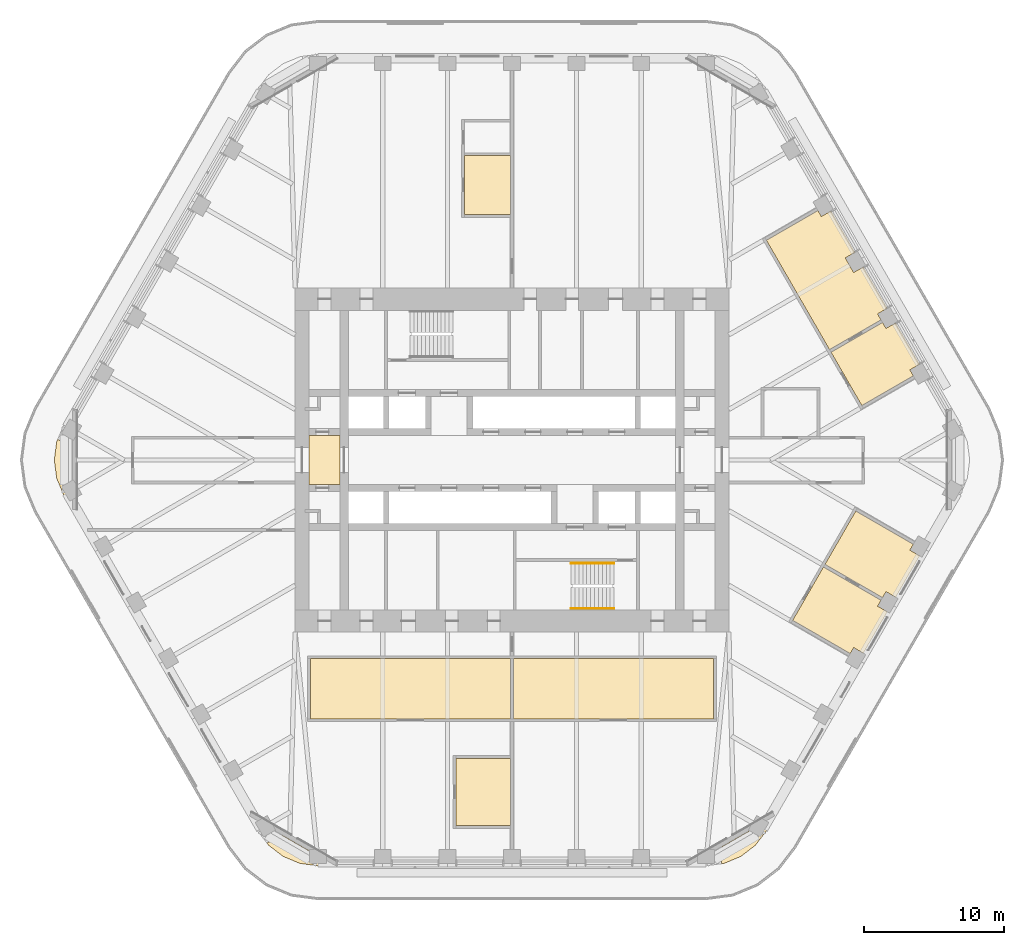
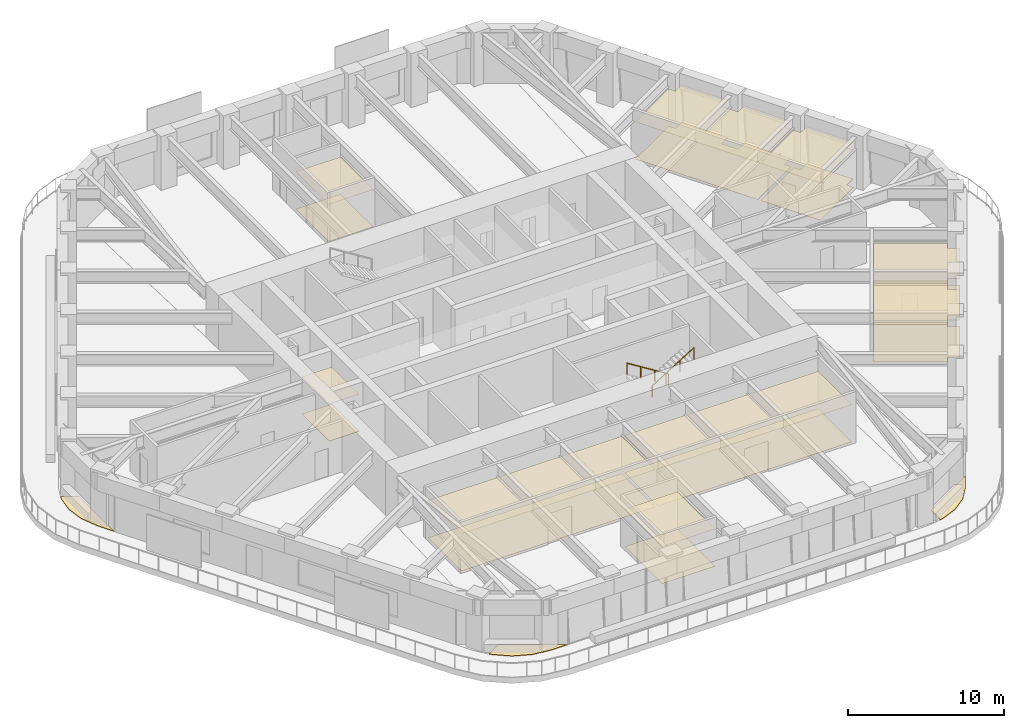
# One storey, part 18 of 20: 7 coverings, 2 railings.
"""IFC4 building model written with IfcOpenShell, lengths in metres."""

from ifc_helpers import new_model, si_unit, direction, frame, origin, origin_2d, place, context, subcontext, project, spatial, polyline, circle, outline, extrude, material, layer, layer_set, type_object, element, save


model = new_model("IFC4")

# Units and contexts
model_context = context("Model", 3, precision=1e-05, world=origin(), true_north=direction((0.0, 1.0)))
body_context = subcontext(model_context, "Body", "Model", "MODEL_VIEW")
ifc_project = project(units=[si_unit("LENGTHUNIT", "METRE"), si_unit("AREAUNIT", "SQUARE_METRE"), si_unit("VOLUMEUNIT", "CUBIC_METRE"), si_unit("PLANEANGLEUNIT", "RADIAN"), si_unit("MASSUNIT", "GRAM", prefix="KILO")], contexts=[model_context])

# Site, building, storey
site_placement = place(None, origin())
site = spatial("IfcSite", under=ifc_project, at=site_placement, CompositionType="ELEMENT")
building_placement = place(site_placement, origin())
building = spatial("IfcBuilding", under=site, at=building_placement, Name="Tarfa Lantern Tower", CompositionType="ELEMENT")
storey_placement = place(building_placement, frame((0.0, 0.0, 257.5)))
storey = spatial("IfcBuildingStorey", under=building, at=storey_placement, Name="L58", CompositionType="ELEMENT", Elevation=257.5)

# Coverings
ifc_material_1 = material(Name="Mineral fibre acoustic tile on suspension grid", Category="finish")
ifc_layer_1 = layer(ifc_material_1, 0.02001953125)
ifc_layer_set_1 = layer_set([ifc_layer_1], Name="CL1 ACOUSTIC TILE CEILING 20")
covering_type_1 = type_object("IfcCoveringType", Name="CL1 ACOUSTIC TILE CEILING 20", PredefinedType="CEILING", material=ifc_layer_set_1)
covering_1_placement = place(storey_placement, frame((0.0, 0.0, 2.89990234375)))
element("IfcCovering", 1, at=covering_1_placement, inside=storey, type_object=covering_type_1, Name="Ceiling L58 CL1", PredefinedType="CEILING", context=body_context, shape_type="SweptSolid", body=[
    extrude(outline(polyline([(0.10009765625, -14.199951171875), (14.39990234375, -14.199951171875), (14.39990234375, -18.5), (0.10009765625, -18.5), (0.10009765625, -14.199951171875)])), origin(), (0.0, 0.0, 1.0), 0.02001953125),
    extrude(outline(polyline([(-14.39990234375, -14.199951171875), (-0.10009765625, -14.199951171875), (-0.10009765625, -18.5), (-14.39990234375, -18.5), (-14.39990234375, -14.199951171875)])), origin(), (0.0, 0.0, 1.0), 0.02001953125),
    extrude(outline(polyline([(22.797607421875, 7.71337890625), (26.478271484375, 9.83837890625), (26.728271484375, 9.4052734375), (27.421142578125, 9.805419921875), (29.13037109375, 6.8447265625), (28.4375, 6.444580078125), (28.6875, 6.01171875), (25.007080078125, 3.88671875), (22.797607421875, 7.71337890625)])), origin(), (0.0, 0.0, 1.0), 0.02001953125),
    extrude(outline(polyline([(18.1787109375, 15.71337890625), (21.859375, 17.83837890625), (22.109375, 17.4052734375), (22.80224609375, 17.805419921875), (24.51171875, 14.8447265625), (23.81884765625, 14.444580078125), (24.418701171875, 13.4052734375), (25.111572265625, 13.805419921875), (26.821044921875, 10.8447265625), (26.128173828125, 10.444580078125), (26.378173828125, 10.01171875), (22.697509765625, 7.88671875), (18.1787109375, 15.71337890625)])), origin(), (0.0, 0.0, 1.0), 0.02001953125),
    extrude(outline(polyline([(22.2646484375, -7.63671875), (26.378173828125, -10.01171875), (26.128173828125, -10.444580078125), (26.821044921875, -10.8447265625), (25.111572265625, -13.805419921875), (24.418701171875, -13.4052734375), (24.168701171875, -13.83837890625), (20.05517578125, -11.46337890625), (22.2646484375, -7.63671875)])), origin(), (0.0, 0.0, 1.0), 0.02001953125),
    extrude(outline(polyline([(24.573974609375, -3.63671875), (28.6875, -6.01171875), (28.4375, -6.444580078125), (29.13037109375, -6.8447265625), (27.421142578125, -9.805419921875), (26.728271484375, -9.4052734375), (26.478271484375, -9.83837890625), (22.364501953125, -7.46337890625), (24.573974609375, -3.63671875)])), origin(), (0.0, 0.0, 1.0), 0.02001953125),
    extrude(outline(polyline([(-3.39990234375, 21.75244140625), (-0.10009765625, 21.75244140625), (-0.10009765625, 17.552490234375), (-3.39990234375, 17.552490234375), (-3.39990234375, 21.75244140625)])), origin(), (0.0, 0.0, 1.0), 0.02001953125),
    extrude(outline(polyline([(-4.0, -26.132568359375), (-4.0, -21.33251953125), (-0.10009765625, -21.33251953125), (-0.10009765625, -26.132568359375), (-4.0, -26.132568359375)])), origin(), (0.0, 0.0, 1.0), 0.02001953125),
])
ifc_material_2 = material(Name="Powder-coated aluminium panel", Category="aluminium")
ifc_layer_2 = layer(ifc_material_2, 0.030029296875)
ifc_layer_set_2 = layer_set([ifc_layer_2], Name="CL3 METAL PANEL CEILING 30")
covering_type_2 = type_object("IfcCoveringType", Name="CL3 METAL PANEL CEILING 30", PredefinedType="CEILING", material=ifc_layer_set_2)
covering_2_placement = place(storey_placement, frame((0.0, 0.0, 2.89990234375)))
element("IfcCovering", 2, at=covering_2_placement, inside=storey, type_object=covering_type_2, Name="Ceiling L58-01", PredefinedType="CEILING", context=body_context, shape_type="SweptSolid", body=[
    extrude(outline(polyline([(-14.5, -1.75), (-12.300048828125, -1.75), (-12.300048828125, 1.75), (-14.5, 1.75), (-14.5, -1.75)])), origin(), (0.0, 0.0, 1.0), 0.030029296875),
])
ifc_material_3 = material(Name="Nylon carpet tile", Category="finish")
ifc_layer_3 = layer(ifc_material_3, 0.010009765625)
ifc_layer_set_3 = layer_set([ifc_layer_3], Name="FL1 CARPET TILE 10")
covering_type_3 = type_object("IfcCoveringType", Name="FL1 CARPET TILE 10", PredefinedType="FLOORING", material=ifc_layer_set_3)
covering_3_placement = place(storey_placement, origin())
element("IfcCovering", 3, at=covering_3_placement, inside=storey, type_object=covering_type_3, Name="Floor finish L58 FL1", PredefinedType="FLOORING", context=body_context, shape_type="SweptSolid", body=[
    extrude(outline(polyline([(0.10009765625, -14.199951171875), (14.39990234375, -14.199951171875), (14.39990234375, -18.5), (0.10009765625, -18.5), (0.10009765625, -14.199951171875)])), origin(), (0.0, 0.0, 1.0), 0.010009765625),
    extrude(outline(polyline([(-14.39990234375, -14.199951171875), (-0.10009765625, -14.199951171875), (-0.10009765625, -18.5), (-14.39990234375, -18.5), (-14.39990234375, -14.199951171875)])), origin(), (0.0, 0.0, 1.0), 0.010009765625),
    extrude(outline(polyline([(22.797607421875, 7.71337890625), (26.478271484375, 9.83837890625), (26.728271484375, 9.4052734375), (27.421142578125, 9.805419921875), (29.13037109375, 6.8447265625), (28.4375, 6.444580078125), (28.6875, 6.01171875), (25.007080078125, 3.88671875), (22.797607421875, 7.71337890625)])), origin(), (0.0, 0.0, 1.0), 0.010009765625),
    extrude(outline(polyline([(18.1787109375, 15.71337890625), (21.859375, 17.83837890625), (22.109375, 17.4052734375), (22.80224609375, 17.805419921875), (24.51171875, 14.8447265625), (23.81884765625, 14.444580078125), (24.418701171875, 13.4052734375), (25.111572265625, 13.805419921875), (26.821044921875, 10.8447265625), (26.128173828125, 10.444580078125), (26.378173828125, 10.01171875), (22.697509765625, 7.88671875), (18.1787109375, 15.71337890625)])), origin(), (0.0, 0.0, 1.0), 0.010009765625),
    extrude(outline(polyline([(22.2646484375, -7.63671875), (26.378173828125, -10.01171875), (26.128173828125, -10.444580078125), (26.821044921875, -10.8447265625), (25.111572265625, -13.805419921875), (24.418701171875, -13.4052734375), (24.168701171875, -13.83837890625), (20.05517578125, -11.46337890625), (22.2646484375, -7.63671875)])), origin(), (0.0, 0.0, 1.0), 0.010009765625),
    extrude(outline(polyline([(24.573974609375, -3.63671875), (28.6875, -6.01171875), (28.4375, -6.444580078125), (29.13037109375, -6.8447265625), (27.421142578125, -9.805419921875), (26.728271484375, -9.4052734375), (26.478271484375, -9.83837890625), (22.364501953125, -7.46337890625), (24.573974609375, -3.63671875)])), origin(), (0.0, 0.0, 1.0), 0.010009765625),
    extrude(outline(polyline([(-3.39990234375, 21.75244140625), (-0.10009765625, 21.75244140625), (-0.10009765625, 17.552490234375), (-3.39990234375, 17.552490234375), (-3.39990234375, 21.75244140625)])), origin(), (0.0, 0.0, 1.0), 0.010009765625),
    extrude(outline(polyline([(-4.0, -26.132568359375), (-4.0, -21.33251953125), (-0.10009765625, -21.33251953125), (-0.10009765625, -26.132568359375), (-4.0, -26.132568359375)])), origin(), (0.0, 0.0, 1.0), 0.010009765625),
])
ifc_material_4 = material(Name="Honed limestone flooring", Category="masonry")
ifc_layer_4 = layer(ifc_material_4, 0.030029296875)
ifc_layer_set_4 = layer_set([ifc_layer_4], Name="FL2 STONE FLOORING 30")
covering_type_4 = type_object("IfcCoveringType", Name="FL2 STONE FLOORING 30", PredefinedType="FLOORING", material=ifc_layer_set_4)
covering_4_placement = place(storey_placement, origin())
element("IfcCovering", 4, at=covering_4_placement, inside=storey, type_object=covering_type_4, Name="Floor finish L58-01", PredefinedType="FLOORING", context=body_context, shape_type="SweptSolid", body=[
    extrude(outline(polyline([(-14.5, -1.75), (-12.300048828125, -1.75), (-12.300048828125, 1.75), (-14.5, 1.75), (-14.5, -1.75)])), origin(), (0.0, 0.0, 1.0), 0.030029296875),
])

# Railings
ifc_material_5 = material(Name="Stainless steel", Category="steel")
railing_type = type_object("IfcRailingType", Name="HR1 HANDRAIL 900", PredefinedType="HANDRAIL", material=ifc_material_5)
railing_1_placement = place(storey_placement, frame((7.300048828125, -7.3798828125, 0.175048828125)))
element("IfcRailing", 5, at=railing_1_placement, inside=storey, type_object=railing_type, Name="Handrail 1", PredefinedType="HANDRAIL", context=body_context, shape_type="SweptSolid", body=[
    extrude(circle(Radius=0.02392578125, at=origin_2d()), frame((0.0, 0.0, 0.8759765625), z_axis=(-0.847998304005, 0.0, 0.529998940003), x_axis=(0.0, -1.0, 0.0)), (0.0, 0.0, 1.0), 3.632080078125),
    extrude(circle(Radius=0.02099609375, at=origin_2d()), frame((0.0, 0.0, 0.0), z_axis=(0.0, 0.0, 1.0), x_axis=(0.0, -1.0, 0.0)), (0.0, 0.0, 1.0), 0.851806640625),
    extrude(circle(Radius=0.02099609375, at=origin_2d()), frame((-1.026611328125, 0.0, 0.6416015625), z_axis=(0.0, 0.0, 1.0), x_axis=(0.0, -1.0, 0.0)), (0.0, 0.0, 1.0), 0.851806640625),
    extrude(circle(Radius=0.02099609375, at=origin_2d()), frame((-2.053466796875, 0.0, 1.283447265625), z_axis=(0.0, 0.0, 1.0), x_axis=(0.0, -1.0, 0.0)), (0.0, 0.0, 1.0), 0.851806640625),
    extrude(circle(Radius=0.02099609375, at=origin_2d()), frame((-3.080078125, 0.0, 1.925048828125), z_axis=(0.0, 0.0, 1.0), x_axis=(0.0, -1.0, 0.0)), (0.0, 0.0, 1.0), 0.851806640625),
])
railing_2_placement = place(storey_placement, frame((4.219970703125, -10.6201171875, 2.27490234375)))
element("IfcRailing", 6, at=railing_2_placement, inside=storey, type_object=railing_type, Name="Handrail 2", PredefinedType="HANDRAIL", context=body_context, shape_type="SweptSolid", body=[
    extrude(circle(Radius=0.02392578125, at=origin_2d()), frame((0.0, 0.0, 0.8759765625), z_axis=(0.847998304005, 0.0, 0.529998940003), x_axis=(0.0, 1.0, 0.0)), (0.0, 0.0, 1.0), 3.632080078125),
    extrude(circle(Radius=0.02099609375, at=origin_2d()), frame((0.0, 0.0, 0.0), z_axis=(0.0, 0.0, 1.0), x_axis=(0.0, 1.0, 0.0)), (0.0, 0.0, 1.0), 0.851806640625),
    extrude(circle(Radius=0.02099609375, at=origin_2d()), frame((1.026611328125, 0.0, 0.6416015625), z_axis=(0.0, 0.0, 1.0), x_axis=(0.0, 1.0, 0.0)), (0.0, 0.0, 1.0), 0.851806640625),
    extrude(circle(Radius=0.02099609375, at=origin_2d()), frame((2.053466796875, 0.0, 1.283447265625), z_axis=(0.0, 0.0, 1.0), x_axis=(0.0, 1.0, 0.0)), (0.0, 0.0, 1.0), 0.851806640625),
    extrude(circle(Radius=0.02099609375, at=origin_2d()), frame((3.080078125, 0.0, 1.925048828125), z_axis=(0.0, 0.0, 1.0), x_axis=(0.0, 1.0, 0.0)), (0.0, 0.0, 1.0), 0.851806640625),
])

# Coverings
ifc_material_6 = material(Name="Porcelain pavers on pedestals", Category="ceramic")
ifc_layer_5 = layer(ifc_material_6, 0.0400390625)
ifc_layer_set_5 = layer_set([ifc_layer_5], Name="LP1 LOGGIA PAVING 40")
covering_type_5 = type_object("IfcCoveringType", Name="LP1 LOGGIA PAVING 40", PredefinedType="FLOORING", material=ifc_layer_set_5)
covering_5_placement = place(storey_placement, origin())
element("IfcCovering", 7, at=covering_5_placement, inside=storey, type_object=covering_type_5, Name="Sky garden paving NW-SW", PredefinedType="FLOORING", context=body_context, shape_type="SweptSolid", body=[
    extrude(outline(polyline([(-32.54248046875, -1.294189453125), (-32.712890625, 0.0), (-32.54248046875, 1.294189453125), (-32.467529296875, 1.474853515625), (-31.43310546875, 0.877685546875), (-31.43310546875, -3.55078125), (-31.436279296875, -3.55078125), (-32.04296875, -2.5), (-32.54248046875, -1.294189453125)])), origin(), (0.0, 0.0, 1.0), 0.0400390625),
])
covering_6_placement = place(storey_placement, origin())
element("IfcCovering", 8, at=covering_6_placement, inside=storey, type_object=covering_type_5, Name="Sky garden paving SW-S", PredefinedType="FLOORING", context=body_context, shape_type="SweptSolid", body=[
    extrude(outline(polyline([(-15.150390625, -28.82958984375), (-16.3564453125, -28.330078125), (-17.391845703125, -27.53564453125), (-17.51123046875, -27.380126953125), (-16.4765625, -26.782958984375), (-12.641357421875, -28.997314453125), (-12.64306640625, -29.0), (-13.8564453125, -29.0), (-15.150390625, -28.82958984375)])), origin(), (0.0, 0.0, 1.0), 0.0400390625),
])
covering_7_placement = place(storey_placement, origin())
element("IfcCovering", 9, at=covering_7_placement, inside=storey, type_object=covering_type_5, Name="Sky garden paving S-SE", PredefinedType="FLOORING", context=body_context, shape_type="SweptSolid", body=[
    extrude(outline(polyline([(17.391845703125, -27.53564453125), (16.3564453125, -28.330078125), (15.150390625, -28.82958984375), (14.956298828125, -28.855224609375), (14.956298828125, -27.66064453125), (18.791748046875, -25.4462890625), (18.793212890625, -25.44921875), (18.1865234375, -26.5), (17.391845703125, -27.53564453125)])), origin(), (0.0, 0.0, 1.0), 0.0400390625),
])

save(model, "model.ifc")
